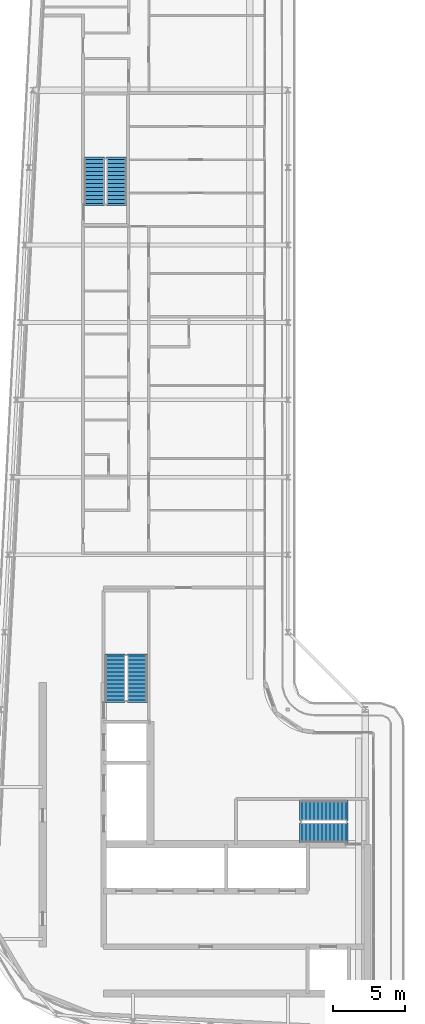
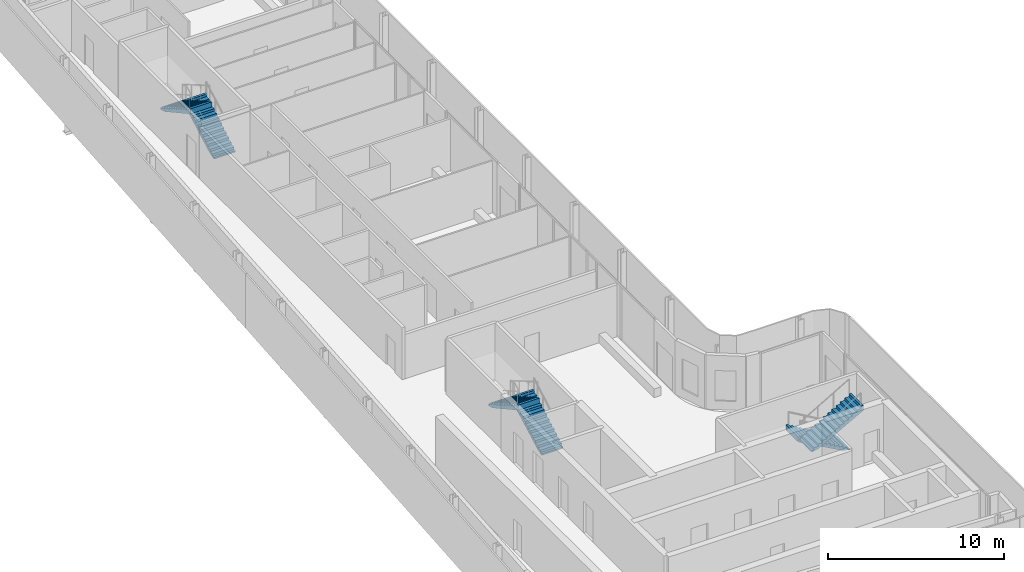
# One storey, part 12 of 18: 6 stair flights, 3 elements without a shape of their own.
"""IFC4 building model written with IfcOpenShell, lengths in metres."""

from ifc_helpers import new_model, si_unit, direction, frame, origin, place, context, subcontext, project, spatial, polyline, outline, extrude, material, layer, layer_set, type_object, element, aggregate, save


model = new_model("IFC4")

# Units and contexts
model_context = context("Model", 3, precision=1e-05, world=origin(), true_north=direction((0.0, 1.0)))
body_context = subcontext(model_context, "Body", "Model", "MODEL_VIEW")
ifc_project = project(units=[si_unit("LENGTHUNIT", "METRE"), si_unit("AREAUNIT", "SQUARE_METRE"), si_unit("VOLUMEUNIT", "CUBIC_METRE"), si_unit("PLANEANGLEUNIT", "RADIAN"), si_unit("MASSUNIT", "GRAM", prefix="KILO")], contexts=[model_context])

# Site, building, storey
site_placement = place(None, origin())
site = spatial("IfcSite", under=ifc_project, at=site_placement, CompositionType="ELEMENT")
building_placement = place(site_placement, origin())
building = spatial("IfcBuilding", under=site, at=building_placement, Name="Kheshtan School and Residences Tower", CompositionType="ELEMENT")
storey_placement = place(building_placement, frame((0.0, 0.0, 381.199951171875)))
storey = spatial("IfcBuildingStorey", under=building, at=storey_placement, Name="L90", CompositionType="ELEMENT", Elevation=381.199951171875)

# Stair, stair flights
ifc_material = material(Name="Concrete C40/50", Category="concrete")
stair_type = type_object("IfcStairType", Name="Exit stair, half-turn", PredefinedType="HALF_TURN_STAIR", material=ifc_material)
stair_1_placement = place(storey_placement, origin())
stair_1 = element("IfcStair", 1, at=stair_1_placement, inside=storey, type_object=stair_type, Name="L90 Protected Exit Stair ST1", PredefinedType="HALF_TURN_STAIR")
ifc_layer = layer(ifc_material, 0.14990234375)
ifc_layer_set = layer_set([ifc_layer], Name="Stair flight 1400 Concrete C40/50")
stair_flight_type = type_object("IfcStairFlightType", Name="Stair flight 1400 Concrete C40/50", PredefinedType="STRAIGHT", material=ifc_layer_set)
stair_flight_1_placement = place(storey_placement, frame((51.64990234375, 38.550048828125, 0.0), z_axis=(0.0, 0.0, 1.0), x_axis=(-1.0, 0.0, 0.0)))
stair_flight_1 = element("IfcStairFlight", 2, at=stair_flight_1_placement, type_object=stair_flight_type, Name="ST1 flight 1", NumberOfRisers=12, NumberOfTreads=11, PredefinedType="STRAIGHT", RiserHeight=0.1625, TreadLength=0.28, context=body_context, shape_type="SweptSolid", body=[
    extrude(outline(polyline([(-0.14990234375, -0.10009765625), (-0.14990234375, 0.0), (0.0, 0.0), (0.0, 0.16259765625), (0.280029296875, 0.16259765625), (0.280029296875, 0.324951171875), (0.56005859375, 0.324951171875), (0.56005859375, 0.487548828125), (0.840087890625, 0.487548828125), (0.840087890625, 0.64990234375), (1.1201171875, 0.64990234375), (1.1201171875, 0.8125), (1.39990234375, 0.8125), (1.39990234375, 0.97509765625), (1.679931640625, 0.97509765625), (1.679931640625, 1.137451171875), (1.9599609375, 1.137451171875), (1.9599609375, 1.300048828125), (2.239990234375, 1.300048828125), (2.239990234375, 1.46240234375), (2.52001953125, 1.46240234375), (2.52001953125, 1.625), (2.800048828125, 1.625), (2.800048828125, 1.78759765625), (3.080078125, 1.78759765625), (3.080078125, 1.949951171875), (3.080078125, 1.969970703125), (3.22998046875, 1.969970703125), (3.22998046875, 1.6142578125), (0.298583984375, 0.0), (-0.14990234375, -0.10009765625)])), frame((0.0, 0.699951171875, 0.0), z_axis=(0.0, -1.0, 0.0), x_axis=(1.0, 0.0, 0.0)), (0.0, 0.0, 1.0), 1.39990234375),
])
stair_flight_2_placement = place(storey_placement, frame((48.570068359375, 37.0, 1.949951171875), z_axis=(0.0, 0.0, 1.0), x_axis=(1.0, 0.0, 0.0)))
stair_flight_2 = element("IfcStairFlight", 3, at=stair_flight_2_placement, type_object=stair_flight_type, Name="ST1 flight 2", NumberOfRisers=12, NumberOfTreads=11, PredefinedType="STRAIGHT", RiserHeight=0.1625, TreadLength=0.28, context=body_context, shape_type="SweptSolid", body=[
    extrude(outline(polyline([(-0.14990234375, -0.10009765625), (-0.14990234375, 0.0), (0.0, 0.0), (0.0, 0.16259765625), (0.280029296875, 0.16259765625), (0.280029296875, 0.324951171875), (0.56005859375, 0.324951171875), (0.56005859375, 0.487548828125), (0.840087890625, 0.487548828125), (0.840087890625, 0.64990234375), (1.1201171875, 0.64990234375), (1.1201171875, 0.8125), (1.39990234375, 0.8125), (1.39990234375, 0.97509765625), (1.679931640625, 0.97509765625), (1.679931640625, 1.137451171875), (1.9599609375, 1.137451171875), (1.9599609375, 1.300048828125), (2.239990234375, 1.300048828125), (2.239990234375, 1.46240234375), (2.52001953125, 1.46240234375), (2.52001953125, 1.625), (2.800048828125, 1.625), (2.800048828125, 1.78759765625), (3.080078125, 1.78759765625), (3.080078125, 1.949951171875), (3.080078125, 1.969970703125), (3.22998046875, 1.969970703125), (3.22998046875, 1.6142578125), (0.298583984375, 0.0), (-0.14990234375, -0.10009765625)])), frame((0.0, 0.699951171875, 0.0), z_axis=(0.0, -1.0, 0.0), x_axis=(1.0, 0.0, 0.0)), (0.0, 0.0, 1.0), 1.39990234375),
])
aggregate(stair_1, [stair_flight_1, stair_flight_2])

stair_2_placement = place(storey_placement, origin())
stair_2 = element("IfcStair", 4, at=stair_2_placement, inside=storey, type_object=stair_type, Name="L90 Protected Exit Stair ST2", PredefinedType="HALF_TURN_STAIR")
stair_flight_3_placement = place(storey_placement, frame((37.10009765625, 46.25, 0.0), z_axis=(0.0, 0.0, 1.0), x_axis=(0.0, 1.0, 0.0)))
stair_flight_3 = element("IfcStairFlight", 5, at=stair_flight_3_placement, type_object=stair_flight_type, Name="ST2 flight 1", NumberOfRisers=12, NumberOfTreads=11, PredefinedType="STRAIGHT", RiserHeight=0.1625, TreadLength=0.28, context=body_context, shape_type="SweptSolid", body=[
    extrude(outline(polyline([(-0.14990234375, -0.10009765625), (-0.14990234375, 0.0), (0.0, 0.0), (0.0, 0.16259765625), (0.280029296875, 0.16259765625), (0.280029296875, 0.324951171875), (0.56005859375, 0.324951171875), (0.56005859375, 0.487548828125), (0.840087890625, 0.487548828125), (0.840087890625, 0.64990234375), (1.1201171875, 0.64990234375), (1.1201171875, 0.8125), (1.39990234375, 0.8125), (1.39990234375, 0.97509765625), (1.679931640625, 0.97509765625), (1.679931640625, 1.137451171875), (1.9599609375, 1.137451171875), (1.9599609375, 1.300048828125), (2.239990234375, 1.300048828125), (2.239990234375, 1.46240234375), (2.52001953125, 1.46240234375), (2.52001953125, 1.625), (2.800048828125, 1.625), (2.800048828125, 1.78759765625), (3.080078125, 1.78759765625), (3.080078125, 1.949951171875), (3.080078125, 1.969970703125), (3.22998046875, 1.969970703125), (3.22998046875, 1.6142578125), (0.298583984375, 0.0), (-0.14990234375, -0.10009765625)])), frame((0.0, 0.699951171875, 0.0), z_axis=(0.0, -1.0, 0.0), x_axis=(1.0, 0.0, 0.0)), (0.0, 0.0, 1.0), 1.39990234375),
])
stair_flight_4_placement = place(storey_placement, frame((35.550048828125, 49.330078125, 1.949951171875), z_axis=(0.0, 0.0, 1.0), x_axis=(0.0, -1.0, 0.0)))
stair_flight_4 = element("IfcStairFlight", 6, at=stair_flight_4_placement, type_object=stair_flight_type, Name="ST2 flight 2", NumberOfRisers=12, NumberOfTreads=11, PredefinedType="STRAIGHT", RiserHeight=0.1625, TreadLength=0.28, context=body_context, shape_type="SweptSolid", body=[
    extrude(outline(polyline([(-0.14990234375, -0.10009765625), (-0.14990234375, 0.0), (0.0, 0.0), (0.0, 0.16259765625), (0.280029296875, 0.16259765625), (0.280029296875, 0.324951171875), (0.56005859375, 0.324951171875), (0.56005859375, 0.487548828125), (0.840087890625, 0.487548828125), (0.840087890625, 0.64990234375), (1.1201171875, 0.64990234375), (1.1201171875, 0.8125), (1.39990234375, 0.8125), (1.39990234375, 0.97509765625), (1.679931640625, 0.97509765625), (1.679931640625, 1.137451171875), (1.9599609375, 1.137451171875), (1.9599609375, 1.300048828125), (2.239990234375, 1.300048828125), (2.239990234375, 1.46240234375), (2.52001953125, 1.46240234375), (2.52001953125, 1.625), (2.800048828125, 1.625), (2.800048828125, 1.78759765625), (3.080078125, 1.78759765625), (3.080078125, 1.949951171875), (3.080078125, 1.969970703125), (3.22998046875, 1.969970703125), (3.22998046875, 1.6142578125), (0.298583984375, 0.0), (-0.14990234375, -0.10009765625)])), frame((0.0, 0.699951171875, 0.0), z_axis=(0.0, -1.0, 0.0), x_axis=(1.0, 0.0, 0.0)), (0.0, 0.0, 1.0), 1.39990234375),
])
aggregate(stair_2, [stair_flight_3, stair_flight_4])

stair_3_placement = place(storey_placement, origin())
stair_3 = element("IfcStair", 7, at=stair_3_placement, inside=storey, type_object=stair_type, Name="L90 Protected Exit Stair ST3", PredefinedType="HALF_TURN_STAIR")
stair_flight_5_placement = place(storey_placement, frame((35.64990234375, 80.89990234375, 0.0), z_axis=(0.0, 0.0, 1.0), x_axis=(0.0, 1.0, 0.0)))
stair_flight_5 = element("IfcStairFlight", 8, at=stair_flight_5_placement, type_object=stair_flight_type, Name="ST3 flight 1", NumberOfRisers=12, NumberOfTreads=11, PredefinedType="STRAIGHT", RiserHeight=0.1625, TreadLength=0.28, context=body_context, shape_type="SweptSolid", body=[
    extrude(outline(polyline([(-0.14990234375, -0.10009765625), (-0.14990234375, 0.0), (0.0, 0.0), (0.0, 0.16259765625), (0.280029296875, 0.16259765625), (0.280029296875, 0.324951171875), (0.56005859375, 0.324951171875), (0.56005859375, 0.487548828125), (0.840087890625, 0.487548828125), (0.840087890625, 0.64990234375), (1.1201171875, 0.64990234375), (1.1201171875, 0.8125), (1.39990234375, 0.8125), (1.39990234375, 0.97509765625), (1.679931640625, 0.97509765625), (1.679931640625, 1.137451171875), (1.9599609375, 1.137451171875), (1.9599609375, 1.300048828125), (2.239990234375, 1.300048828125), (2.239990234375, 1.46240234375), (2.52001953125, 1.46240234375), (2.52001953125, 1.625), (2.800048828125, 1.625), (2.800048828125, 1.78759765625), (3.080078125, 1.78759765625), (3.080078125, 1.949951171875), (3.080078125, 1.969970703125), (3.22998046875, 1.969970703125), (3.22998046875, 1.6142578125), (0.298583984375, 0.0), (-0.14990234375, -0.10009765625)])), frame((0.0, 0.699951171875, 0.0), z_axis=(0.0, -1.0, 0.0), x_axis=(1.0, 0.0, 0.0)), (0.0, 0.0, 1.0), 1.39990234375),
])
stair_flight_6_placement = place(storey_placement, frame((34.10009765625, 83.97998046875, 1.949951171875), z_axis=(0.0, 0.0, 1.0), x_axis=(0.0, -1.0, 0.0)))
stair_flight_6 = element("IfcStairFlight", 9, at=stair_flight_6_placement, type_object=stair_flight_type, Name="ST3 flight 2", NumberOfRisers=12, NumberOfTreads=11, PredefinedType="STRAIGHT", RiserHeight=0.1625, TreadLength=0.28, context=body_context, shape_type="SweptSolid", body=[
    extrude(outline(polyline([(-0.14990234375, -0.10009765625), (-0.14990234375, 0.0), (0.0, 0.0), (0.0, 0.16259765625), (0.280029296875, 0.16259765625), (0.280029296875, 0.324951171875), (0.56005859375, 0.324951171875), (0.56005859375, 0.487548828125), (0.840087890625, 0.487548828125), (0.840087890625, 0.64990234375), (1.1201171875, 0.64990234375), (1.1201171875, 0.8125), (1.39990234375, 0.8125), (1.39990234375, 0.97509765625), (1.679931640625, 0.97509765625), (1.679931640625, 1.137451171875), (1.9599609375, 1.137451171875), (1.9599609375, 1.300048828125), (2.239990234375, 1.300048828125), (2.239990234375, 1.46240234375), (2.52001953125, 1.46240234375), (2.52001953125, 1.625), (2.800048828125, 1.625), (2.800048828125, 1.78759765625), (3.080078125, 1.78759765625), (3.080078125, 1.949951171875), (3.080078125, 1.969970703125), (3.22998046875, 1.969970703125), (3.22998046875, 1.6142578125), (0.298583984375, 0.0), (-0.14990234375, -0.10009765625)])), frame((0.0, 0.699951171875, 0.0), z_axis=(0.0, -1.0, 0.0), x_axis=(1.0, 0.0, 0.0)), (0.0, 0.0, 1.0), 1.39990234375),
])
aggregate(stair_3, [stair_flight_5, stair_flight_6])

save(model, "model.ifc")
